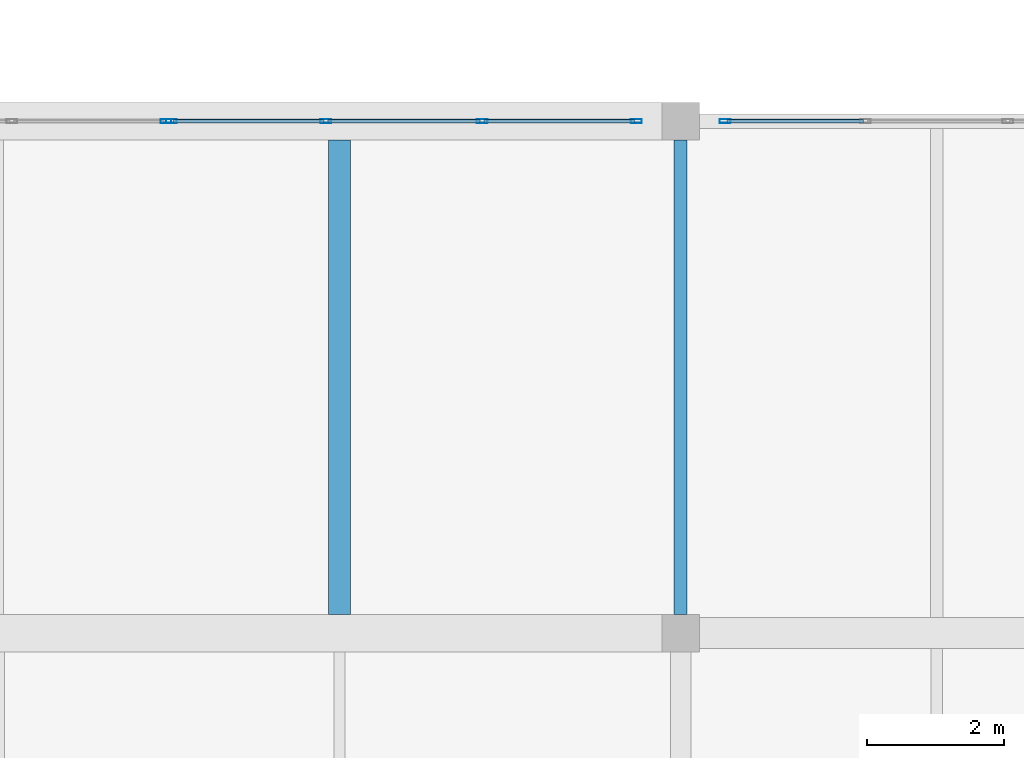
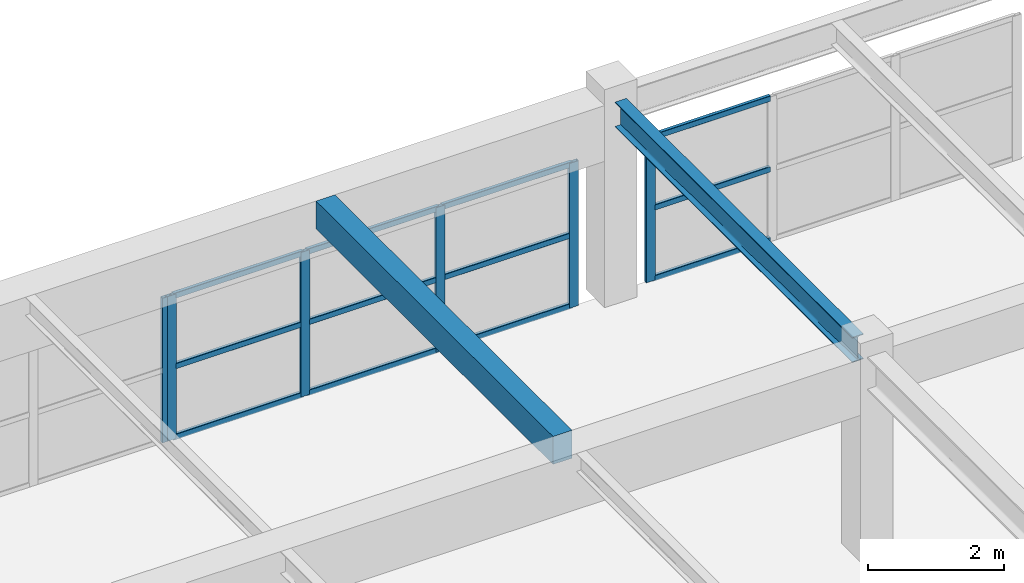
# One storey, part 29 of 101: 18 members, 2 beams, 3 elements without a shape of their own.
"""IFC4 building model written with IfcOpenShell, lengths in metres."""

import ifcopenshell
import ifcopenshell.guid

model = None  # the IFC model being written
_history = None  # IfcOwnerHistory: only IFC2X3 demands one
_inside = {}  # id of a spatial element -> (the spatial element, [elements in it])
_under = {}  # id of a project, library or spatial element -> (it, [spatial elements below it])
_declared = {}  # id of a project -> (the project, [libraries it declares])
_typed = {}  # id of a type object -> (the type object, [elements of that type])
_made_of = {}  # id of a material, layer set ... -> (it, [elements and type objects made of it])


def new_model(schema):
    """Start an empty IFC model of exactly this schema.

    Asked for "IFC4X3", IfcOpenShell would pick the latest addendum, in which some entities
    have other attributes; the version numbers below select the first issue.
    IFC2X3 requires an IfcOwnerHistory on every rooted entity: one is made here for all.
    """
    global model, _history
    if schema == "IFC4X3":
        model = ifcopenshell.file(schema_version=(4, 3, 0, 0))
    else:
        model = ifcopenshell.file(schema=schema)
    _inside.clear()
    _under.clear()
    _declared.clear()
    _typed.clear()
    _made_of.clear()
    _history = None
    if model.schema == "IFC2X3":
        org = make("IfcOrganization", Name="unknown")
        user = make(
            "IfcPersonAndOrganization",
            ThePerson=make("IfcPerson", FamilyName="unknown"),
            TheOrganization=org,
        )
        app = make(
            "IfcApplication",
            ApplicationDeveloper=org,
            Version="unknown",
            ApplicationFullName="unknown",
            ApplicationIdentifier="unknown",
        )
        _history = make(
            "IfcOwnerHistory",
            OwningUser=user,
            OwningApplication=app,
            ChangeAction="ADDED",
            CreationDate=0,
        )
    return model


def make(cls, **values):
    """One entity of the class cls with the attributes given. An attribute that is None is left unset."""
    return model.create_entity(
        cls, **{name: value for name, value in values.items() if value is not None}
    )


def rooted(cls, **values):
    """An entity with a GlobalId (a new one), such as an element, a storey or a relation."""
    return make(cls, GlobalId=ifcopenshell.guid.new(), OwnerHistory=_history, **values)


def si_unit(unit_type, name, prefix=None):
    """IfcSIUnit, for example si_unit("LENGTHUNIT", "METRE", prefix="MILLI")."""
    return make("IfcSIUnit", UnitType=unit_type, Prefix=prefix, Name=name)


def assignment(units):
    """IfcUnitAssignment: the units of a project."""
    return None if units is None else make("IfcUnitAssignment", Units=units)


def point(xyz):
    """IfcCartesianPoint."""
    return None if xyz is None else make("IfcCartesianPoint", Coordinates=xyz)


def direction(xyz):
    """IfcDirection."""
    return None if xyz is None else make("IfcDirection", DirectionRatios=xyz)


def frame(location, z_axis=None, x_axis=None):
    """IfcAxis2Placement3D, a coordinate frame: its origin and axes. An axis left out is left unset."""
    return make(
        "IfcAxis2Placement3D",
        Location=point(location),
        Axis=direction(z_axis),
        RefDirection=direction(x_axis),
    )


def frame_2d(location, x_axis=None):
    """IfcAxis2Placement2D, a coordinate frame in the plane: its origin and x axis."""
    return make(
        "IfcAxis2Placement2D", Location=point(location), RefDirection=direction(x_axis)
    )


def origin():
    """The frame at (0, 0, 0) with its axes left unset."""
    return frame((0.0, 0.0, 0.0))


def origin_2d():
    """The frame at (0, 0) in the plane with its x axis left unset."""
    return frame_2d((0.0, 0.0))


def place(relative_to, where):
    """IfcLocalPlacement: puts the frame where relative to a parent placement (None: the world)."""
    return make(
        "IfcLocalPlacement", PlacementRelTo=relative_to, RelativePlacement=where
    )


def context(
    kind, dimensions, precision=None, world=None, true_north=None, identifier=None
):
    """IfcGeometricRepresentationContext, for example the 3D "Model" context."""
    return make(
        "IfcGeometricRepresentationContext",
        ContextIdentifier=identifier,
        ContextType=kind,
        CoordinateSpaceDimension=dimensions,
        Precision=precision,
        WorldCoordinateSystem=world,
        TrueNorth=true_north,
    )


def subcontext(parent, identifier, kind, view, scale=None):
    """IfcGeometricRepresentationSubContext, for example "Body" below "Model"."""
    return make(
        "IfcGeometricRepresentationSubContext",
        ContextIdentifier=identifier,
        ContextType=kind,
        ParentContext=parent,
        TargetScale=scale,
        TargetView=view,
    )


def project(units=None, contexts=None):
    """IfcProject with its units and contexts."""
    return rooted(
        "IfcProject",
        Name="project",
        RepresentationContexts=contexts,
        UnitsInContext=assignment(units),
    )


def spatial(cls, under=None, at=None, **own):
    """A site, building, storey or space (cls), placed at a placement, below another one or the project."""
    s = rooted(cls, ObjectPlacement=at, **own)
    if under is not None:
        _under.setdefault(under.id(), (under, []))[1].append(s)
    return s


def profile(cls, at=None, kind="AREA", **sizes):
    """A parametric profile (cls). Its sizes go by their IFC names, for example OverallWidth=200.0."""
    return make(cls, ProfileType=kind, Position=at, **sizes)


def rectangle(**sizes):
    """IfcRectangleProfileDef."""
    return profile("IfcRectangleProfileDef", **sizes)


def hollow_rectangle(**sizes):
    """IfcRectangleHollowProfileDef."""
    return profile("IfcRectangleHollowProfileDef", **sizes)


def i_section(**sizes):
    """IfcIShapeProfileDef."""
    return profile("IfcIShapeProfileDef", **sizes)


def extrude(swept, where, along, depth):
    """IfcExtrudedAreaSolid: the profile swept, set in the frame where, extruded along a direction by depth."""
    return make(
        "IfcExtrudedAreaSolid",
        SweptArea=swept,
        Position=where,
        ExtrudedDirection=direction(along),
        Depth=depth,
    )


def shape(context_of_items, identifier, shape_type, items):
    """IfcShapeRepresentation: the items that make up one representation, for example the "Body"."""
    return make(
        "IfcShapeRepresentation",
        ContextOfItems=context_of_items,
        RepresentationIdentifier=identifier,
        RepresentationType=shape_type,
        Items=items,
    )


def material(Name=None, Category=None):
    """IfcMaterial."""
    return make("IfcMaterial", Name=Name, Category=Category)


def material_profile(
    of_material, cross_section, Name=None, Category=None, Priority=None
):
    """IfcMaterialProfile: a cross section and its material."""
    return make(
        "IfcMaterialProfile",
        Name=Name,
        Material=of_material,
        Profile=cross_section,
        Priority=Priority,
        Category=Category,
    )


def profile_set(profiles, Name=None, composite=None):
    """IfcMaterialProfileSet."""
    return make(
        "IfcMaterialProfileSet",
        Name=Name,
        MaterialProfiles=profiles,
        CompositeProfile=composite,
    )


def made_of(thing, what):
    """Note that an element or type object is made of a material, layer set ...; save() writes the relation."""
    if what is not None:
        _made_of.setdefault(what.id(), (what, []))[1].append(thing)
    return thing


def type_object(cls, material=None, **own):
    """A type object (cls), such as IfcWallType, which elements share."""
    return made_of(rooted(cls, **own), material)


def element(
    cls,
    number,
    at=None,
    inside=None,
    cuts=None,
    type_object=None,
    material=None,
    context=None,
    identifier="Body",
    shape_type=None,
    held_by="IfcProductDefinitionShape",
    body=None,
    shapes=None,
    **own,
):
    """One element of the class cls, such as IfcWall. Its Tag is "e" and its number.

    at: its placement. inside: the storey or other place that contains it. cuts: it is an
    opening in that element (IfcRelVoidsElement). A single representation is given by context,
    identifier, shape_type and body (its items); several are given by shapes. held_by: the class
    of the entity that holds the representations. save() writes the other relations.
    """
    e = rooted(cls, Tag="e%d" % number, ObjectPlacement=at, **own)
    if body is not None:
        shapes = [shape(context, identifier, shape_type, body)]
    if shapes is not None:
        e.Representation = make(held_by, Representations=shapes)
    if inside is not None:
        _inside.setdefault(inside.id(), (inside, []))[1].append(e)
    if cuts is not None:
        rooted(
            "IfcRelVoidsElement", RelatingBuildingElement=cuts, RelatedOpeningElement=e
        )
    if type_object is not None:
        _typed.setdefault(type_object.id(), (type_object, []))[1].append(e)
    return made_of(e, material)


def aggregate(whole, parts):
    """IfcRelAggregates: a whole, such as a stair, and the parts it consists of."""
    return rooted("IfcRelAggregates", RelatingObject=whole, RelatedObjects=parts)


def save(model, path):
    """Write the relations noted so far, then the file.

    IfcRelAggregates (storeys below a building ...), IfcRelContainedInSpatialStructure (elements
    in a storey), IfcRelDefinesByType, IfcRelAssociatesMaterial and IfcRelDeclares: one each for
    every whole, place, type object, material and project.
    """
    for whole, parts in _under.values():
        aggregate(whole, parts)
    for where, things in _inside.values():
        rooted(
            "IfcRelContainedInSpatialStructure",
            RelatedElements=things,
            RelatingStructure=where,
        )
    for kind, things in _typed.values():
        rooted("IfcRelDefinesByType", RelatedObjects=things, RelatingType=kind)
    for what, things in _made_of.values():
        rooted("IfcRelAssociatesMaterial", RelatedObjects=things, RelatingMaterial=what)
    for by, libraries in _declared.values():
        rooted("IfcRelDeclares", RelatingContext=by, RelatedDefinitions=libraries)
    model.write(path)


model = new_model("IFC4")

# Units and contexts
model_context = context("Model", 3, precision=1e-05, world=origin(), true_north=direction((0.0, 1.0)))
body_context = subcontext(model_context, "Body", "Model", "MODEL_VIEW")
ifc_project = project(units=[si_unit("LENGTHUNIT", "METRE"), si_unit("AREAUNIT", "SQUARE_METRE"), si_unit("VOLUMEUNIT", "CUBIC_METRE"), si_unit("PLANEANGLEUNIT", "RADIAN"), si_unit("MASSUNIT", "GRAM", prefix="KILO")], contexts=[model_context])

# Site, building, storey
site_placement = place(None, origin())
site = spatial("IfcSite", under=ifc_project, at=site_placement, CompositionType="ELEMENT")
building_placement = place(site_placement, origin())
building = spatial("IfcBuilding", under=site, at=building_placement, Name="Qasida Concert Hall", CompositionType="ELEMENT")
storey_placement = place(building_placement, frame((0.0, 0.0, 13.199951171875)))
storey = spatial("IfcBuildingStorey", under=building, at=storey_placement, Name="L03", CompositionType="ELEMENT", Elevation=13.199951171875)

# Beams
ifc_material_1 = material(Name="Steel S355J2", Category="steel")
ifc_material_profile_1 = material_profile(ifc_material_1, i_section(OverallWidth=0.18994140625, OverallDepth=0.449951171875, WebThickness=0.009521484375, FlangeThickness=0.0146484375, FilletRadius=0.02099609375, at=origin_2d()), Name="IPE 450")
ifc_profile_set_1 = profile_set([ifc_material_profile_1], Name="Steel S355J2")
beam_type_1 = type_object("IfcBeamType", Name="BM-B5", PredefinedType="BEAM", material=ifc_profile_set_1)
beam_1_placement = place(storey_placement, frame((30.0, 45.27490234375, 3.39501953125), z_axis=(0.0, 1.0, 0.0), x_axis=(-1.0, 0.0, 0.0)))
element("IfcBeam", 1, at=beam_1_placement, inside=storey, type_object=beam_type_1, Name="L03 girder 1630", PredefinedType="BEAM", context=body_context, shape_type="SweptSolid", body=[
    extrude(i_section(OverallWidth=0.18994140625, OverallDepth=0.449951171875, WebThickness=0.009521484375, FlangeThickness=0.0146484375, FilletRadius=0.02099609375, at=origin_2d()), origin(), (0.0, 0.0, 1.0), 6.9501953125),
])
ifc_material_2 = material(Name="Concrete C40/50", Category="concrete")
ifc_material_profile_2 = material_profile(ifc_material_2, rectangle(XDim=0.320068359375, YDim=0.5, at=origin_2d()), Name="RC 320x500")
ifc_profile_set_2 = profile_set([ifc_material_profile_2], Name="Concrete C40/50")
beam_type_2 = type_object("IfcBeamType", Name="BM-J7", PredefinedType="JOIST", material=ifc_profile_set_2)
beam_2_placement = place(storey_placement, frame((25.0, 45.27490234375, 3.3701171875), z_axis=(0.0, 1.0, 0.0), x_axis=(-1.0, 0.0, 0.0)))
element("IfcBeam", 2, at=beam_2_placement, inside=storey, type_object=beam_type_2, Name="L03 secondary joist 1653", PredefinedType="JOIST", context=body_context, shape_type="SweptSolid", body=[
    extrude(rectangle(XDim=0.320068359375, YDim=0.5, at=origin_2d()), origin(), (0.0, 0.0, 1.0), 6.9501953125),
])

# Curtain wall, member
ifc_material_3 = material(Name="Architectural bronze-anodized aluminium and low-E glass", Category="aluminium")
curtain_wall_type = type_object("IfcCurtainWallType", Name="CW-09", PredefinedType="NOTDEFINED", material=ifc_material_3)
curtain_wall_1_placement = place(storey_placement, origin())
curtain_wall_1 = element("IfcCurtainWall", 3, at=curtain_wall_1_placement, inside=storey, type_object=curtain_wall_type, Name="L03 curtain wall CW-09 0121", PredefinedType="NOTDEFINED")
ifc_material_4 = material(Name="Architectural bronze-anodized aluminium EN AW-6063", Category="aluminium")
ifc_material_profile_3 = material_profile(ifc_material_4, hollow_rectangle(XDim=0.06005859375, YDim=0.159912109375, WallThickness=0.00390625, InnerFilletRadius=0.00390625, OuterFilletRadius=0.008056640625, at=origin_2d()), Name="CWM 160x60x4")
ifc_profile_set_3 = profile_set([ifc_material_profile_3], Name="Architectural bronze-anodized aluminium EN AW-6063")
member_type_1 = type_object("IfcMemberType", Name="MB-CWM-3", PredefinedType="MULLION", material=ifc_profile_set_3)
member_1_placement = place(storey_placement, frame((22.4599609375, 52.5, 0.0), z_axis=(0.0, 0.0, 1.0), x_axis=(0.0, 1.0, 0.0)))
member_1 = element("IfcMember", 4, at=member_1_placement, type_object=member_type_1, Name="CW-09 mullion 4", PredefinedType="MULLION", context=body_context, shape_type="SweptSolid", body=[
    extrude(hollow_rectangle(XDim=0.06005859375, YDim=0.159912109375, WallThickness=0.00390625, InnerFilletRadius=0.00390625, OuterFilletRadius=0.008056640625, at=origin_2d()), origin(), (0.0, 0.0, 1.0), 2.590087890625),
])
aggregate(curtain_wall_1, [member_1])

# Curtain wall, members
curtain_wall_2_placement = place(storey_placement, origin())
curtain_wall_2 = element("IfcCurtainWall", 5, at=curtain_wall_2_placement, inside=storey, type_object=curtain_wall_type, Name="L03 curtain wall CW-09 0123", PredefinedType="NOTDEFINED")
member_2_placement = place(storey_placement, frame((22.5400390625, 52.5, 0.0), z_axis=(0.0, 0.0, 1.0), x_axis=(0.0, 1.0, 0.0)))
member_2 = element("IfcMember", 6, at=member_2_placement, type_object=member_type_1, Name="CW-09 mullion 1", PredefinedType="MULLION", context=body_context, shape_type="SweptSolid", body=[
    extrude(hollow_rectangle(XDim=0.06005859375, YDim=0.159912109375, WallThickness=0.00390625, InnerFilletRadius=0.00390625, OuterFilletRadius=0.008056640625, at=origin_2d()), origin(), (0.0, 0.0, 1.0), 2.590087890625),
])
member_3_placement = place(storey_placement, frame((24.800048828125, 52.5, 0.0), z_axis=(0.0, 0.0, 1.0), x_axis=(0.0, 1.0, 0.0)))
member_3 = element("IfcMember", 7, at=member_3_placement, type_object=member_type_1, Name="CW-09 mullion 2", PredefinedType="MULLION", context=body_context, shape_type="SweptSolid", body=[
    extrude(hollow_rectangle(XDim=0.06005859375, YDim=0.159912109375, WallThickness=0.00390625, InnerFilletRadius=0.00390625, OuterFilletRadius=0.008056640625, at=origin_2d()), origin(), (0.0, 0.0, 1.0), 2.590087890625),
])
member_4_placement = place(storey_placement, frame((27.090087890625, 52.5, 0.0), z_axis=(0.0, 0.0, 1.0), x_axis=(0.0, 1.0, 0.0)))
member_4 = element("IfcMember", 8, at=member_4_placement, type_object=member_type_1, Name="CW-09 mullion 3", PredefinedType="MULLION", context=body_context, shape_type="SweptSolid", body=[
    extrude(hollow_rectangle(XDim=0.06005859375, YDim=0.159912109375, WallThickness=0.00390625, InnerFilletRadius=0.00390625, OuterFilletRadius=0.008056640625, at=origin_2d()), origin(), (0.0, 0.0, 1.0), 2.590087890625),
])
member_5_placement = place(storey_placement, frame((29.35009765625, 52.5, 0.0), z_axis=(0.0, 0.0, 1.0), x_axis=(0.0, 1.0, 0.0)))
member_5 = element("IfcMember", 9, at=member_5_placement, type_object=member_type_1, Name="CW-09 mullion 4", PredefinedType="MULLION", context=body_context, shape_type="SweptSolid", body=[
    extrude(hollow_rectangle(XDim=0.06005859375, YDim=0.159912109375, WallThickness=0.00390625, InnerFilletRadius=0.00390625, OuterFilletRadius=0.008056640625, at=origin_2d()), origin(), (0.0, 0.0, 1.0), 2.590087890625),
])

# Curtain wall, member
curtain_wall_3_placement = place(storey_placement, origin())
curtain_wall_3 = element("IfcCurtainWall", 10, at=curtain_wall_3_placement, inside=storey, type_object=curtain_wall_type, Name="L03 curtain wall CW-09 0124", PredefinedType="NOTDEFINED")
member_6_placement = place(storey_placement, frame((30.64990234375, 52.5, 0.0), z_axis=(0.0, 0.0, 1.0), x_axis=(0.0, 1.0, 0.0)))
member_6 = element("IfcMember", 11, at=member_6_placement, type_object=member_type_1, Name="CW-09 mullion 1", PredefinedType="MULLION", context=body_context, shape_type="SweptSolid", body=[
    extrude(hollow_rectangle(XDim=0.06005859375, YDim=0.159912109375, WallThickness=0.00390625, InnerFilletRadius=0.00390625, OuterFilletRadius=0.008056640625, at=origin_2d()), origin(), (0.0, 0.0, 1.0), 2.590087890625),
])

# Member
ifc_material_profile_4 = material_profile(ifc_material_4, hollow_rectangle(XDim=0.06005859375, YDim=0.10009765625, WallThickness=0.00341796875, InnerFilletRadius=0.00341796875, OuterFilletRadius=0.007080078125, at=origin_2d()), Name="CWT 100x60x3.5")
ifc_profile_set_4 = profile_set([ifc_material_profile_4], Name="Architectural bronze-anodized aluminium EN AW-6063")
member_type_2 = type_object("IfcMemberType", Name="MB-CWT-3", PredefinedType="USERDEFINED", material=ifc_profile_set_4)
member_7_placement = place(storey_placement, frame((22.570068359375, 52.5, 0.030029296875), z_axis=(1.0, 0.0, 0.0), x_axis=(0.0, 1.0, 0.0)))
member_7 = element("IfcMember", 12, at=member_7_placement, type_object=member_type_2, Name="CW-09 transom 1.1", ObjectType="TRANSOM", PredefinedType="USERDEFINED", context=body_context, shape_type="SweptSolid", body=[
    extrude(hollow_rectangle(XDim=0.06005859375, YDim=0.10009765625, WallThickness=0.00341796875, InnerFilletRadius=0.00341796875, OuterFilletRadius=0.007080078125, at=origin_2d()), origin(), (0.0, 0.0, 1.0), 2.199951171875),
])

member_8_placement = place(storey_placement, frame((22.570068359375, 52.5, 1.295166015625), z_axis=(1.0, 0.0, 0.0), x_axis=(0.0, 1.0, 0.0)))
member_8 = element("IfcMember", 13, at=member_8_placement, type_object=member_type_2, Name="CW-09 transom 1.2", ObjectType="TRANSOM", PredefinedType="USERDEFINED", context=body_context, shape_type="SweptSolid", body=[
    extrude(hollow_rectangle(XDim=0.06005859375, YDim=0.10009765625, WallThickness=0.00341796875, InnerFilletRadius=0.00341796875, OuterFilletRadius=0.007080078125, at=origin_2d()), origin(), (0.0, 0.0, 1.0), 2.199951171875),
])

member_9_placement = place(storey_placement, frame((22.570068359375, 52.5, 2.56005859375), z_axis=(1.0, 0.0, 0.0), x_axis=(0.0, 1.0, 0.0)))
member_9 = element("IfcMember", 14, at=member_9_placement, type_object=member_type_2, Name="CW-09 transom 1.3", ObjectType="TRANSOM", PredefinedType="USERDEFINED", context=body_context, shape_type="SweptSolid", body=[
    extrude(hollow_rectangle(XDim=0.06005859375, YDim=0.10009765625, WallThickness=0.00341796875, InnerFilletRadius=0.00341796875, OuterFilletRadius=0.007080078125, at=origin_2d()), origin(), (0.0, 0.0, 1.0), 2.199951171875),
])

member_10_placement = place(storey_placement, frame((24.830078125, 52.5, 0.030029296875), z_axis=(1.0, 0.0, 0.0), x_axis=(0.0, 1.0, 0.0)))
member_10 = element("IfcMember", 15, at=member_10_placement, type_object=member_type_2, Name="CW-09 transom 2.1", ObjectType="TRANSOM", PredefinedType="USERDEFINED", context=body_context, shape_type="SweptSolid", body=[
    extrude(hollow_rectangle(XDim=0.06005859375, YDim=0.10009765625, WallThickness=0.00341796875, InnerFilletRadius=0.00341796875, OuterFilletRadius=0.007080078125, at=origin_2d()), origin(), (0.0, 0.0, 1.0), 2.22998046875),
])

member_11_placement = place(storey_placement, frame((24.830078125, 52.5, 1.295166015625), z_axis=(1.0, 0.0, 0.0), x_axis=(0.0, 1.0, 0.0)))
member_11 = element("IfcMember", 16, at=member_11_placement, type_object=member_type_2, Name="CW-09 transom 2.2", ObjectType="TRANSOM", PredefinedType="USERDEFINED", context=body_context, shape_type="SweptSolid", body=[
    extrude(hollow_rectangle(XDim=0.06005859375, YDim=0.10009765625, WallThickness=0.00341796875, InnerFilletRadius=0.00341796875, OuterFilletRadius=0.007080078125, at=origin_2d()), origin(), (0.0, 0.0, 1.0), 2.22998046875),
])

member_12_placement = place(storey_placement, frame((24.830078125, 52.5, 2.56005859375), z_axis=(1.0, 0.0, 0.0), x_axis=(0.0, 1.0, 0.0)))
member_12 = element("IfcMember", 17, at=member_12_placement, type_object=member_type_2, Name="CW-09 transom 2.3", ObjectType="TRANSOM", PredefinedType="USERDEFINED", context=body_context, shape_type="SweptSolid", body=[
    extrude(hollow_rectangle(XDim=0.06005859375, YDim=0.10009765625, WallThickness=0.00341796875, InnerFilletRadius=0.00341796875, OuterFilletRadius=0.007080078125, at=origin_2d()), origin(), (0.0, 0.0, 1.0), 2.22998046875),
])

member_13_placement = place(storey_placement, frame((27.1201171875, 52.5, 0.030029296875), z_axis=(1.0, 0.0, 0.0), x_axis=(0.0, 1.0, 0.0)))
member_13 = element("IfcMember", 18, at=member_13_placement, type_object=member_type_2, Name="CW-09 transom 3.1", ObjectType="TRANSOM", PredefinedType="USERDEFINED", context=body_context, shape_type="SweptSolid", body=[
    extrude(hollow_rectangle(XDim=0.06005859375, YDim=0.10009765625, WallThickness=0.00341796875, InnerFilletRadius=0.00341796875, OuterFilletRadius=0.007080078125, at=origin_2d()), origin(), (0.0, 0.0, 1.0), 2.199951171875),
])

member_14_placement = place(storey_placement, frame((27.1201171875, 52.5, 1.295166015625), z_axis=(1.0, 0.0, 0.0), x_axis=(0.0, 1.0, 0.0)))
member_14 = element("IfcMember", 19, at=member_14_placement, type_object=member_type_2, Name="CW-09 transom 3.2", ObjectType="TRANSOM", PredefinedType="USERDEFINED", context=body_context, shape_type="SweptSolid", body=[
    extrude(hollow_rectangle(XDim=0.06005859375, YDim=0.10009765625, WallThickness=0.00341796875, InnerFilletRadius=0.00341796875, OuterFilletRadius=0.007080078125, at=origin_2d()), origin(), (0.0, 0.0, 1.0), 2.199951171875),
])

member_15_placement = place(storey_placement, frame((27.1201171875, 52.5, 2.56005859375), z_axis=(1.0, 0.0, 0.0), x_axis=(0.0, 1.0, 0.0)))
member_15 = element("IfcMember", 20, at=member_15_placement, type_object=member_type_2, Name="CW-09 transom 3.3", ObjectType="TRANSOM", PredefinedType="USERDEFINED", context=body_context, shape_type="SweptSolid", body=[
    extrude(hollow_rectangle(XDim=0.06005859375, YDim=0.10009765625, WallThickness=0.00341796875, InnerFilletRadius=0.00341796875, OuterFilletRadius=0.007080078125, at=origin_2d()), origin(), (0.0, 0.0, 1.0), 2.199951171875),
])

aggregate(curtain_wall_2, [member_2, member_3, member_4, member_5, member_7, member_8, member_9, member_10, member_11, member_12, member_13, member_14, member_15])

member_16_placement = place(storey_placement, frame((30.679931640625, 52.5, 0.030029296875), z_axis=(1.0, 0.0, 0.0), x_axis=(0.0, 1.0, 0.0)))
member_16 = element("IfcMember", 21, at=member_16_placement, type_object=member_type_2, Name="CW-09 transom 1.1", ObjectType="TRANSOM", PredefinedType="USERDEFINED", context=body_context, shape_type="SweptSolid", body=[
    extrude(hollow_rectangle(XDim=0.06005859375, YDim=0.10009765625, WallThickness=0.00341796875, InnerFilletRadius=0.00341796875, OuterFilletRadius=0.007080078125, at=origin_2d()), origin(), (0.0, 0.0, 1.0), 1.996826171875),
])

member_17_placement = place(storey_placement, frame((30.679931640625, 52.5, 1.295166015625), z_axis=(1.0, 0.0, 0.0), x_axis=(0.0, 1.0, 0.0)))
member_17 = element("IfcMember", 22, at=member_17_placement, type_object=member_type_2, Name="CW-09 transom 1.2", ObjectType="TRANSOM", PredefinedType="USERDEFINED", context=body_context, shape_type="SweptSolid", body=[
    extrude(hollow_rectangle(XDim=0.06005859375, YDim=0.10009765625, WallThickness=0.00341796875, InnerFilletRadius=0.00341796875, OuterFilletRadius=0.007080078125, at=origin_2d()), origin(), (0.0, 0.0, 1.0), 1.996826171875),
])

member_18_placement = place(storey_placement, frame((30.679931640625, 52.5, 2.56005859375), z_axis=(1.0, 0.0, 0.0), x_axis=(0.0, 1.0, 0.0)))
member_18 = element("IfcMember", 23, at=member_18_placement, type_object=member_type_2, Name="CW-09 transom 1.3", ObjectType="TRANSOM", PredefinedType="USERDEFINED", context=body_context, shape_type="SweptSolid", body=[
    extrude(hollow_rectangle(XDim=0.06005859375, YDim=0.10009765625, WallThickness=0.00341796875, InnerFilletRadius=0.00341796875, OuterFilletRadius=0.007080078125, at=origin_2d()), origin(), (0.0, 0.0, 1.0), 1.996826171875),
])

aggregate(curtain_wall_3, [member_6, member_16, member_17, member_18])

save(model, "model.ifc")
